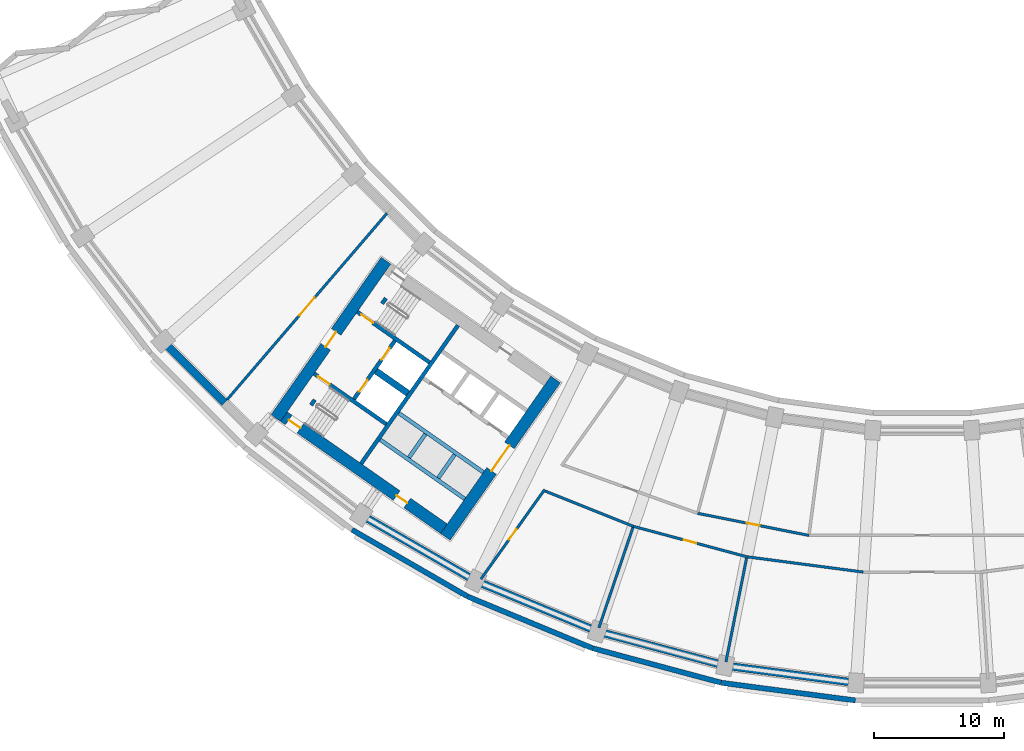
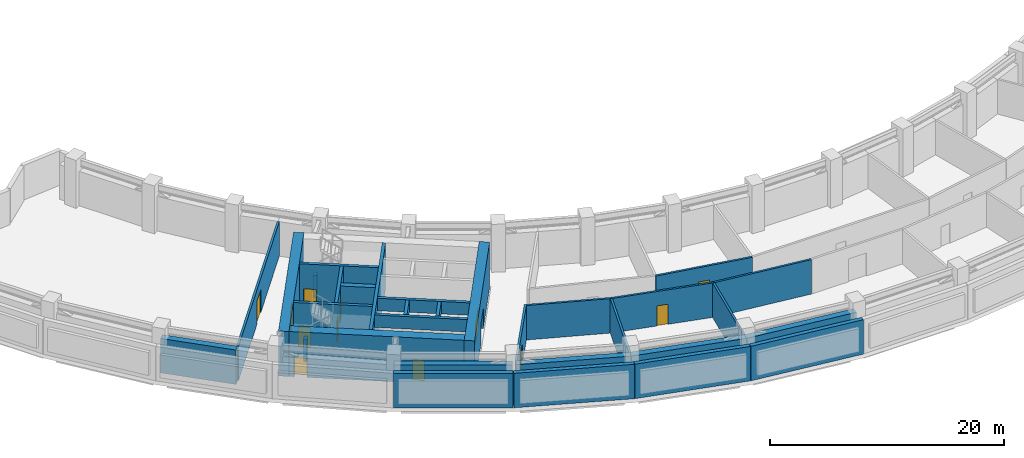
# One storey, part 6 of 25: 31 walls, 12 doors, 12 openings.
"""IFC4 building model written with IfcOpenShell, lengths in metres."""

from ifc_helpers import new_model, si_unit, direction, frame, frame_2d, origin, place, context, subcontext, project, spatial, rectangle, extrude, material, layer, layer_set, type_object, element, fill, save


model = new_model("IFC4")

# Units and contexts
model_context = context("Model", 3, precision=1e-05, world=origin(), true_north=direction((0.0, 1.0)))
body_context = subcontext(model_context, "Body", "Model", "MODEL_VIEW")
ifc_project = project(units=[si_unit("LENGTHUNIT", "METRE"), si_unit("AREAUNIT", "SQUARE_METRE"), si_unit("VOLUMEUNIT", "CUBIC_METRE"), si_unit("PLANEANGLEUNIT", "RADIAN"), si_unit("MASSUNIT", "GRAM", prefix="KILO")], contexts=[model_context])

# Site, building, storey
site_placement = place(None, origin())
site = spatial("IfcSite", under=ifc_project, at=site_placement, CompositionType="ELEMENT")
building_placement = place(site_placement, origin())
building = spatial("IfcBuilding", under=site, at=building_placement, Name="Qamariyya Broadcast Tower", CompositionType="ELEMENT")
storey_placement = place(building_placement, frame((0.0, 0.0, 144.300048828125)))
storey = spatial("IfcBuildingStorey", under=building, at=storey_placement, Name="L33", CompositionType="ELEMENT", Elevation=144.300048828125)

# Wall, opening, door
ifc_material_1 = material(Name="Concrete C70/85", Category="concrete")
ifc_layer_1 = layer(ifc_material_1, 0.89990234375)
ifc_layer_set_1 = layer_set([ifc_layer_1], Name="Core wall 900 mm Concrete C70/85")
wall_type_1 = type_object("IfcWallType", Name="Core wall 900 mm Concrete C70/85", PredefinedType="SHEAR", material=ifc_layer_set_1)
wall_1_placement = place(storey_placement, frame((-36.716796875, -66.3369140625, 0.0), z_axis=(0.0, 0.0, 1.0), x_axis=(0.573577477574, 0.819151315216, 0.0)))
wall_1 = element("IfcWall", 1, at=wall_1_placement, inside=storey, type_object=wall_type_1, Name="k-W-L33-WA", PredefinedType="SHEAR", context=body_context, shape_type="SweptSolid", body=[
    extrude(rectangle(XDim=14.800048828125, YDim=0.89990234375, at=frame_2d((7.39990234375, 0.0))), origin(), (0.0, 0.0, 1.0), 4.699951171875),
])
opening_1_placement = place(wall_1_placement, frame((6.199951171875, 0.0, 0.0)))
opening_1 = element("IfcOpeningElement", 2, at=opening_1_placement, cuts=wall_1, Name="Opening KD3-W1", PredefinedType="OPENING", context=body_context, shape_type="SweptSolid", body=[
    extrude(rectangle(XDim=2.39990234375, YDim=2.10009765625, at=frame_2d((1.199951171875, 1.050048828125))), frame((0.0, 0.4599609375, 0.0), z_axis=(0.0, -1.0, 0.0), x_axis=(1.0, 0.0, 0.0)), (0.0, 0.0, 1.0), 0.919921875),
])
ifc_material_2 = material(Name="Steel fire-resisting door leaf", Category="steel")
door_type_1 = type_object("IfcDoorType", Name="Lift lobby door KD3", OperationType="DOUBLE_DOOR_SINGLE_SWING", PredefinedType="DOOR", material=ifc_material_2)
door_1_placement = place(opening_1_placement, origin())
door_1 = element("IfcDoor", 3, at=door_1_placement, inside=storey, type_object=door_type_1, Name="k-W-L33-WA-D1", OperationType="DOUBLE_DOOR_SINGLE_SWING", OverallHeight=2.10009765625, OverallWidth=2.39990234375, PredefinedType="DOOR", context=body_context, shape_type="SweptSolid", body=[
    extrude(rectangle(XDim=2.39990234375, YDim=2.10009765625, at=frame_2d((1.199951171875, 1.050048828125))), frame((0.0, 0.02490234375, 0.0), z_axis=(0.0, -1.0, 0.0), x_axis=(1.0, 0.0, 0.0)), (0.0, 0.0, 1.0), 0.050048828125),
])
fill(opening_1, door_1)

wall_2_placement = place(storey_placement, frame((-49.778564453125, -57.191162109375, 0.0), z_axis=(0.0, 0.0, 1.0), x_axis=(0.573577477574, 0.819151315216, 0.0)))
wall_2 = element("IfcWall", 4, at=wall_2_placement, inside=storey, type_object=wall_type_1, Name="k-W-L33-WH", PredefinedType="SHEAR", context=body_context, shape_type="SweptSolid", body=[
    extrude(rectangle(XDim=14.800048828125, YDim=0.89990234375, at=frame_2d((7.39990234375, 0.0))), origin(), (0.0, 0.0, 1.0), 4.699951171875),
])
opening_2_placement = place(wall_2_placement, frame((6.699951171875, 0.0, 0.0)))
opening_2 = element("IfcOpeningElement", 5, at=opening_2_placement, cuts=wall_2, Name="Opening KD2-W1", PredefinedType="OPENING", context=body_context, shape_type="SweptSolid", body=[
    extrude(rectangle(XDim=1.39990234375, YDim=2.10009765625, at=frame_2d((0.699951171875, 1.050048828125))), frame((0.0, 0.4599609375, 0.0), z_axis=(0.0, -1.0, 0.0), x_axis=(1.0, 0.0, 0.0)), (0.0, 0.0, 1.0), 0.919921875),
])
door_type_2 = type_object("IfcDoorType", Name="Fire-fighting lobby door KD2", OperationType="DOUBLE_DOOR_SINGLE_SWING", PredefinedType="DOOR", material=ifc_material_2)
door_2_placement = place(opening_2_placement, origin())
door_2 = element("IfcDoor", 6, at=door_2_placement, inside=storey, type_object=door_type_2, Name="k-W-L33-WH-D9", OperationType="DOUBLE_DOOR_SINGLE_SWING", OverallHeight=2.10009765625, OverallWidth=1.39990234375, PredefinedType="DOOR", context=body_context, shape_type="SweptSolid", body=[
    extrude(rectangle(XDim=1.39990234375, YDim=2.10009765625, at=frame_2d((0.699951171875, 1.050048828125))), frame((0.0, 0.02490234375, 0.0), z_axis=(0.0, -1.0, 0.0), x_axis=(1.0, 0.0, 0.0)), (0.0, 0.0, 1.0), 0.050048828125),
])
fill(opening_2, door_2)

# Wall, openings, doors
wall_3_placement = place(storey_placement, frame((-36.827392578125, -65.710205078125, 0.0), z_axis=(0.0, 0.0, 1.0), x_axis=(-0.819153391756, 0.573574511963, 0.0)))
wall_3 = element("IfcWall", 7, at=wall_3_placement, inside=storey, type_object=wall_type_1, Name="k-W-L33-WO", PredefinedType="SHEAR", context=body_context, shape_type="SweptSolid", body=[
    extrude(rectangle(XDim=15.04541015625, YDim=0.89990234375, at=frame_2d((7.522705078125, 0.0))), origin(), (0.0, 0.0, 1.0), 4.699951171875),
])
opening_3_placement = place(wall_3_placement, frame((3.449951171875, 0.0, 0.0)))
opening_3 = element("IfcOpeningElement", 8, at=opening_3_placement, cuts=wall_3, Name="Opening KD4-W2", PredefinedType="OPENING", context=body_context, shape_type="SweptSolid", body=[
    extrude(rectangle(XDim=1.0, YDim=2.10009765625, at=frame_2d((0.5, 1.050048828125))), frame((0.0, 0.4599609375, 0.0), z_axis=(0.0, -1.0, 0.0), x_axis=(1.0, 0.0, 0.0)), (0.0, 0.0, 1.0), 0.919921875),
])
opening_4_placement = place(wall_3_placement, frame((13.495361328125, 0.0, 0.0)))
opening_4 = element("IfcOpeningElement", 9, at=opening_4_placement, cuts=wall_3, Name="Opening KD1-W3", PredefinedType="OPENING", context=body_context, shape_type="SweptSolid", body=[
    extrude(rectangle(XDim=1.10009765625, YDim=2.10009765625, at=frame_2d((0.550048828125, 1.050048828125))), frame((0.0, 0.4599609375, 0.0), z_axis=(0.0, -1.0, 0.0), x_axis=(1.0, 0.0, 0.0)), (0.0, 0.0, 1.0), 0.919921875),
])
door_type_3 = type_object("IfcDoorType", Name="Riser and plant door KD4", OperationType="SINGLE_SWING_LEFT", PredefinedType="DOOR", material=ifc_material_2)
door_3_placement = place(opening_3_placement, origin())
door_3 = element("IfcDoor", 10, at=door_3_placement, inside=storey, type_object=door_type_3, Name="k-W-L33-WO-D6", OperationType="SINGLE_SWING_LEFT", OverallHeight=2.10009765625, OverallWidth=1.0, PredefinedType="DOOR", context=body_context, shape_type="SweptSolid", body=[
    extrude(rectangle(XDim=1.0, YDim=2.10009765625, at=frame_2d((0.5, 1.050048828125))), frame((0.0, 0.02490234375, 0.0), z_axis=(0.0, -1.0, 0.0), x_axis=(1.0, 0.0, 0.0)), (0.0, 0.0, 1.0), 0.050048828125),
])
fill(opening_3, door_3)
door_type_4 = type_object("IfcDoorType", Name="Stair door KD1", OperationType="SINGLE_SWING_LEFT", PredefinedType="DOOR", material=ifc_material_2)
door_4_placement = place(opening_4_placement, origin())
door_4 = element("IfcDoor", 11, at=door_4_placement, inside=storey, type_object=door_type_4, Name="k-W-L33-WO-D12", OperationType="SINGLE_SWING_LEFT", OverallHeight=2.10009765625, OverallWidth=1.10009765625, PredefinedType="DOOR", context=body_context, shape_type="SweptSolid", body=[
    extrude(rectangle(XDim=1.10009765625, YDim=2.10009765625, at=frame_2d((0.550048828125, 1.050048828125))), frame((0.0, 0.02490234375, 0.0), z_axis=(0.0, -1.0, 0.0), x_axis=(1.0, 0.0, 0.0)), (0.0, 0.0, 1.0), 0.050048828125),
])
fill(opening_4, door_4)

# Walls
ifc_material_3 = material(Name="Concrete C60/75", Category="concrete")
ifc_layer_2 = layer(ifc_material_3, 0.5)
ifc_layer_set_2 = layer_set([ifc_layer_2], Name="Fire-fighting lobby divider wall 500 mm Concrete C60/75")
wall_type_2 = type_object("IfcWallType", Name="Fire-fighting lobby divider wall 500 mm Concrete C60/75", PredefinedType="SOLIDWALL", material=ifc_layer_set_2)
wall_4_placement = place(storey_placement, frame((-39.59912109375, -55.28515625, 0.0), z_axis=(0.0, 0.0, 1.0), x_axis=(-0.819136323161, 0.573598887793, 0.0)))
element("IfcWall", 12, at=wall_4_placement, inside=storey, type_object=wall_type_2, Name="k-W-L33-FD", PredefinedType="SOLIDWALL", context=body_context, shape_type="SweptSolid", body=[
    extrude(rectangle(XDim=2.999755859375, YDim=0.5, at=frame_2d((1.5, 0.0))), origin(), (0.0, 0.0, 1.0), 4.699951171875),
])
ifc_layer_3 = layer(ifc_material_3, 0.300048828125)
ifc_layer_set_3 = layer_set([ifc_layer_3], Name="Lift pit wall 300 mm Concrete C60/75")
wall_type_3 = type_object("IfcWallType", Name="Lift pit wall 300 mm Concrete C60/75", PredefinedType="SOLIDWALL", material=ifc_layer_set_3)
for number, where, z_axis, x_axis, name in (
    (13, (-33.787353515625, -61.368896484375, 3.39990234375), (0.0, 0.0, 1.0), (-0.819152564888, 0.573575692858, 0.0), "k-W-L33-SF0"),
    (14, (-35.22119140625, -63.41650390625, 3.39990234375), (0.0, 0.0, 1.0), (-0.819166993208, 0.573555086491, 0.0), "k-W-L33-SB0"),
):
    element("IfcWall", number, at=place(storey_placement, frame(where, z_axis=z_axis, x_axis=x_axis)), inside=storey, type_object=wall_type_3, Name=name, PredefinedType="SOLIDWALL", context=body_context, shape_type="SweptSolid", body=[
        extrude(rectangle(XDim=7.9501953125, YDim=0.300048828125, at=frame_2d((3.97509765625, 0.0))), origin(), (0.0, 0.0, 1.0), 1.300048828125),
    ])
wall_5_placement = place(storey_placement, frame((-36.003173828125, -60.000244140625, 3.39990234375), z_axis=(0.0, 0.0, 1.0), x_axis=(-0.573581496053, -0.819148501424, 0.0)))
element("IfcWall", 15, at=wall_5_placement, inside=storey, type_object=wall_type_3, Name="k-W-L33-SD0", PredefinedType="SOLIDWALL", context=body_context, shape_type="SweptSolid", body=[
    extrude(rectangle(XDim=2.2001953125, YDim=0.300048828125, at=frame_2d((1.10009765625, 0.0))), origin(), (0.0, 0.0, 1.0), 1.300048828125),
])
wall_6_placement = place(storey_placement, frame((-38.255859375, -58.423095703125, 3.39990234375), z_axis=(0.0, 0.0, 1.0), x_axis=(-0.573633636671, -0.819111989218, 0.0)))
element("IfcWall", 16, at=wall_6_placement, inside=storey, type_object=wall_type_3, Name="k-W-L33-SD1", PredefinedType="SOLIDWALL", context=body_context, shape_type="SweptSolid", body=[
    extrude(rectangle(XDim=2.199951171875, YDim=0.300048828125, at=frame_2d((1.10009765625, 0.0))), origin(), (0.0, 0.0, 1.0), 1.300048828125),
])
ifc_layer_4 = layer(ifc_material_3, 0.300048828125)
ifc_layer_set_4 = layer_set([ifc_layer_4], Name="Lift shaft wall 300 mm Concrete C60/75")
wall_type_4 = type_object("IfcWallType", Name="Lift shaft wall 300 mm Concrete C60/75", PredefinedType="SOLIDWALL", material=ifc_layer_set_4)
wall_7_placement = place(storey_placement, frame((-43.204345703125, -60.69580078125, 0.0), z_axis=(0.0, 0.0, 1.0), x_axis=(0.573571992966, 0.819155155563, 0.0)))
element("IfcWall", 17, at=wall_7_placement, inside=storey, type_object=wall_type_4, Name="k-W-L33-WL", PredefinedType="SOLIDWALL", context=body_context, shape_type="SweptSolid", body=[
    extrude(rectangle(XDim=13.000244140625, YDim=0.300048828125, at=frame_2d((6.5, 0.0))), origin(), (0.0, 0.0, 1.0), 4.699951171875),
])

# Wall, opening, door
wall_8_placement = place(storey_placement, frame((-37.935546875, -52.90966796875, 0.0), z_axis=(0.0, 0.0, 1.0), x_axis=(-0.819147518138, 0.57358290031, 0.0)))
wall_8 = element("IfcWall", 18, at=wall_8_placement, inside=storey, type_object=wall_type_4, Name="k-W-L33-NW", PredefinedType="SOLIDWALL", context=body_context, shape_type="SweptSolid", body=[
    extrude(rectangle(XDim=6.79541015625, YDim=0.300048828125, at=frame_2d((3.397705078125, 0.0))), origin(), (0.0, 0.0, 1.0), 4.699951171875),
])
opening_5_placement = place(wall_8_placement, frame((5.3203125, 0.0, 0.0)))
opening_5 = element("IfcOpeningElement", 19, at=opening_5_placement, cuts=wall_8, Name="Opening KD1-W2", PredefinedType="OPENING", context=body_context, shape_type="SweptSolid", body=[
    extrude(rectangle(XDim=1.10009765625, YDim=2.10009765625, at=frame_2d((0.550048828125, 1.050048828125))), frame((0.0, 0.159912109375, 0.0), z_axis=(0.0, -1.0, 0.0), x_axis=(1.0, 0.0, 0.0)), (0.0, 0.0, 1.0), 0.320068359375),
])
door_5_placement = place(opening_5_placement, origin())
door_5 = element("IfcDoor", 20, at=door_5_placement, inside=storey, type_object=door_type_4, Name="k-W-L33-NW-D11", OperationType="SINGLE_SWING_RIGHT", OverallHeight=2.10009765625, OverallWidth=1.10009765625, PredefinedType="DOOR", context=body_context, shape_type="SweptSolid", body=[
    extrude(rectangle(XDim=1.10009765625, YDim=2.10009765625, at=frame_2d((0.550048828125, 1.050048828125))), frame((0.0, 0.02490234375, 0.0), z_axis=(0.0, -1.0, 0.0), x_axis=(1.0, 0.0, 0.0)), (0.0, 0.0, 1.0), 0.050048828125),
])
fill(opening_5, door_5)

wall_9_placement = place(storey_placement, frame((-41.262451171875, -57.66064453125, 0.0), z_axis=(0.0, 0.0, 1.0), x_axis=(-0.819164398642, 0.573558792102, 0.0)))
wall_9 = element("IfcWall", 21, at=wall_9_placement, inside=storey, type_object=wall_type_4, Name="k-W-L33-SW", PredefinedType="SOLIDWALL", context=body_context, shape_type="SweptSolid", body=[
    extrude(rectangle(XDim=6.795166015625, YDim=0.300048828125, at=frame_2d((3.3974609375, 0.0))), origin(), (0.0, 0.0, 1.0), 4.699951171875),
])
opening_6_placement = place(wall_9_placement, frame((5.3203125, 0.0, 0.0)))
opening_6 = element("IfcOpeningElement", 22, at=opening_6_placement, cuts=wall_9, Name="Opening KD1-W4", PredefinedType="OPENING", context=body_context, shape_type="SweptSolid", body=[
    extrude(rectangle(XDim=1.10009765625, YDim=2.10009765625, at=frame_2d((0.550048828125, 1.050048828125))), frame((0.0, 0.159912109375, 0.0), z_axis=(0.0, -1.0, 0.0), x_axis=(1.0, 0.0, 0.0)), (0.0, 0.0, 1.0), 0.320068359375),
])
door_6_placement = place(opening_6_placement, origin())
door_6 = element("IfcDoor", 23, at=door_6_placement, inside=storey, type_object=door_type_4, Name="k-W-L33-SW-D13", OperationType="SINGLE_SWING_RIGHT", OverallHeight=2.10009765625, OverallWidth=1.10009765625, PredefinedType="DOOR", context=body_context, shape_type="SweptSolid", body=[
    extrude(rectangle(XDim=1.10009765625, YDim=2.10009765625, at=frame_2d((0.550048828125, 1.050048828125))), frame((0.0, 0.02490234375, 0.0), z_axis=(0.0, -1.0, 0.0), x_axis=(1.0, 0.0, 0.0)), (0.0, 0.0, 1.0), 0.050048828125),
])
fill(opening_6, door_6)

# Wall, openings, doors
wall_10_placement = place(storey_placement, frame((-43.756591796875, -55.731201171875, 0.0), z_axis=(0.0, 0.0, 1.0), x_axis=(0.573536818435, 0.819179783625, 0.0)))
wall_10 = element("IfcWall", 24, at=wall_10_placement, inside=storey, type_object=wall_type_4, Name="k-W-L33-FF", PredefinedType="SOLIDWALL", context=body_context, shape_type="SweptSolid", body=[
    extrude(rectangle(XDim=5.500244140625, YDim=0.300048828125, at=frame_2d((2.75, 0.0))), origin(), (0.0, 0.0, 1.0), 4.699951171875),
])
opening_7_placement = place(wall_10_placement, frame((0.699951171875, 0.0, 0.0)))
opening_7 = element("IfcOpeningElement", 25, at=opening_7_placement, cuts=wall_10, Name="Opening LD", PredefinedType="OPENING", context=body_context, shape_type="SweptSolid", body=[
    extrude(rectangle(XDim=1.10009765625, YDim=2.10009765625, at=frame_2d((0.550048828125, 1.050048828125))), frame((0.0, 0.159912109375, 0.0), z_axis=(0.0, -1.0, 0.0), x_axis=(1.0, 0.0, 0.0)), (0.0, 0.0, 1.0), 0.320068359375),
])
opening_8_placement = place(wall_10_placement, frame((3.699951171875, 0.0, 0.0)))
opening_8 = element("IfcOpeningElement", 26, at=opening_8_placement, cuts=wall_10, Name="Opening LD", PredefinedType="OPENING", context=body_context, shape_type="SweptSolid", body=[
    extrude(rectangle(XDim=1.10009765625, YDim=2.10009765625, at=frame_2d((0.550048828125, 1.050048828125))), frame((0.0, 0.159912109375, 0.0), z_axis=(0.0, -1.0, 0.0), x_axis=(1.0, 0.0, 0.0)), (0.0, 0.0, 1.0), 0.320068359375),
])
door_type_5 = type_object("IfcDoorType", Name="Lift landing door LD", OperationType="DOUBLE_DOOR_SLIDING", PredefinedType="DOOR", material=ifc_material_2)
door_7_placement = place(opening_7_placement, origin())
door_7 = element("IfcDoor", 27, at=door_7_placement, inside=storey, type_object=door_type_5, Name="k-W-L33-FF-D7", OperationType="DOUBLE_DOOR_SLIDING", OverallHeight=2.10009765625, OverallWidth=1.10009765625, PredefinedType="DOOR", context=body_context, shape_type="SweptSolid", body=[
    extrude(rectangle(XDim=1.10009765625, YDim=2.10009765625, at=frame_2d((0.550048828125, 1.050048828125))), frame((0.0, 0.02490234375, 0.0), z_axis=(0.0, -1.0, 0.0), x_axis=(1.0, 0.0, 0.0)), (0.0, 0.0, 1.0), 0.050048828125),
])
fill(opening_7, door_7)
door_8_placement = place(opening_8_placement, origin())
door_8 = element("IfcDoor", 28, at=door_8_placement, inside=storey, type_object=door_type_5, Name="k-W-L33-FF-D8", OperationType="DOUBLE_DOOR_SLIDING", OverallHeight=2.10009765625, OverallWidth=1.10009765625, PredefinedType="DOOR", context=body_context, shape_type="SweptSolid", body=[
    extrude(rectangle(XDim=1.10009765625, YDim=2.10009765625, at=frame_2d((0.550048828125, 1.050048828125))), frame((0.0, 0.02490234375, 0.0), z_axis=(0.0, -1.0, 0.0), x_axis=(1.0, 0.0, 0.0)), (0.0, 0.0, 1.0), 0.050048828125),
])
fill(opening_8, door_8)

# Walls
wall_11_placement = place(storey_placement, frame((-41.5869140625, -48.369140625, 0.0), z_axis=(0.0, 0.0, 1.0), x_axis=(0.573495128918, 0.819208970354, 0.0)))
element("IfcWall", 29, at=wall_11_placement, inside=storey, type_object=wall_type_4, Name="k-W-L33-W2PR", PredefinedType="SOLIDWALL", context=body_context, shape_type="SweptSolid", body=[
    extrude(rectangle(XDim=0.499755859375, YDim=0.300048828125, at=frame_2d((0.25, 0.0))), origin(), (0.0, 0.0, 1.0), 2.300048828125),
])
wall_12_placement = place(storey_placement, frame((-47.064697265625, -56.19189453125, 0.0), z_axis=(0.0, 0.0, 1.0), x_axis=(0.573822822947, 0.818979467304, 0.0)))
element("IfcWall", 30, at=wall_12_placement, inside=storey, type_object=wall_type_4, Name="k-W-L33-W1PR", PredefinedType="SOLIDWALL", context=body_context, shape_type="SweptSolid", body=[
    extrude(rectangle(XDim=0.5, YDim=0.300048828125, at=frame_2d((0.25, 0.0))), origin(), (0.0, 0.0, 1.0), 2.300048828125),
])

# Wall, opening, door
ifc_material_4 = material(Name="Masonry block wall", Category="masonry")
ifc_layer_5 = layer(ifc_material_4, 0.199951171875)
ifc_layer_set_5 = layer_set([ifc_layer_5], Name="Plant room wall 200 EI 120")
wall_type_5 = type_object("IfcWallType", Name="Plant room wall 200 EI 120", PredefinedType="PARTITIONING", material=ifc_layer_set_5)
wall_13_placement = place(storey_placement, frame((-53.52587890625, -55.770751953125, 0.0), z_axis=(0.0, 0.0, 1.0), x_axis=(0.650990118882, 0.75908620401, 0.0)))
wall_13 = element("IfcWall", 31, at=wall_13_placement, inside=storey, type_object=wall_type_5, Name="Partition L33-012", PredefinedType="PARTITIONING", context=body_context, shape_type="SweptSolid", body=[
    extrude(rectangle(XDim=18.915283203125, YDim=0.199951171875, at=frame_2d((9.45751953125, 0.0))), origin(), (0.0, 0.0, 1.0), 3.599853515625),
])
opening_9_placement = place(wall_13_placement, frame((8.5576171875, 0.0, 0.0)))
opening_9 = element("IfcOpeningElement", 32, at=opening_9_placement, cuts=wall_13, Name="Opening L33-D12", PredefinedType="OPENING", context=body_context, shape_type="SweptSolid", body=[
    extrude(rectangle(XDim=1.800048828125, YDim=2.39990234375, at=frame_2d((0.89990234375, 1.199951171875))), frame((0.0, 0.10986328125, 0.0), z_axis=(0.0, -1.0, 0.0), x_axis=(1.0, 0.0, 0.0)), (0.0, 0.0, 1.0), 0.219970703125),
])
ifc_material_5 = material(Name="Insulated metal door leaf")
door_type_6 = type_object("IfcDoorType", Name="Plant double door 1800 x 2400 FD120", OperationType="NOTDEFINED", PredefinedType="DOOR", material=ifc_material_5)
door_9_placement = place(opening_9_placement, origin())
door_9 = element("IfcDoor", 33, at=door_9_placement, inside=storey, type_object=door_type_6, Name="Door L33-D12", OperationType="DOUBLE_DOOR_SINGLE_SWING", OverallHeight=2.39990234375, OverallWidth=1.800048828125, PredefinedType="DOOR", context=body_context, shape_type="SweptSolid", body=[
    extrude(rectangle(XDim=1.800048828125, YDim=2.39990234375, at=frame_2d((0.89990234375, 1.199951171875))), frame((0.0, 0.02490234375, 0.0), z_axis=(0.0, -1.0, 0.0), x_axis=(1.0, 0.0, 0.0)), (0.0, 0.0, 1.0), 0.050048828125),
])
fill(opening_9, door_9)

wall_14_placement = place(storey_placement, frame((-29.069580078125, -62.689697265625, 0.0), z_axis=(0.0, 0.0, 1.0), x_axis=(-0.580017920191, -0.814603714856, 0.0)))
wall_14 = element("IfcWall", 34, at=wall_14_placement, inside=storey, type_object=wall_type_5, Name="Partition L33-017", PredefinedType="PARTITIONING", context=body_context, shape_type="SweptSolid", body=[
    extrude(rectangle(XDim=8.46435546875, YDim=0.199951171875, at=frame_2d((4.232177734375, 0.0))), origin(), (0.0, 0.0, 1.0), 3.599853515625),
])
opening_10_placement = place(wall_14_placement, frame((3.732177734375, 0.0, 0.0)))
opening_10 = element("IfcOpeningElement", 35, at=opening_10_placement, cuts=wall_14, Name="Opening L33-D01", PredefinedType="OPENING", context=body_context, shape_type="SweptSolid", body=[
    extrude(rectangle(XDim=1.0, YDim=2.10009765625, at=frame_2d((0.5, 1.050048828125))), frame((0.0, 0.10986328125, 0.0), z_axis=(0.0, -1.0, 0.0), x_axis=(1.0, 0.0, 0.0)), (0.0, 0.0, 1.0), 0.219970703125),
])
door_type_7 = type_object("IfcDoorType", Name="Plant door 1000 x 2100 FD120", OperationType="NOTDEFINED", PredefinedType="DOOR", material=ifc_material_5)
door_10_placement = place(opening_10_placement, origin())
door_10 = element("IfcDoor", 36, at=door_10_placement, inside=storey, type_object=door_type_7, Name="Door L33-D01", OperationType="SINGLE_SWING_RIGHT", OverallHeight=2.10009765625, OverallWidth=1.0, PredefinedType="DOOR", context=body_context, shape_type="SweptSolid", body=[
    extrude(rectangle(XDim=1.0, YDim=2.10009765625, at=frame_2d((0.5, 1.050048828125))), frame((0.0, 0.02490234375, 0.0), z_axis=(0.0, -1.0, 0.0), x_axis=(1.0, 0.0, 0.0)), (0.0, 0.0, 1.0), 0.050048828125),
])
fill(opening_10, door_10)

# Walls
wall_15_placement = place(storey_placement, frame((-29.03466796875, -62.808349609375, 0.0), z_axis=(0.0, 0.0, 1.0), x_axis=(0.928343133184, -0.371724396657, 0.0)))
element("IfcWall", 37, at=wall_15_placement, inside=storey, type_object=wall_type_5, Name="Partition L33-018", PredefinedType="PARTITIONING", context=body_context, shape_type="SweptSolid", body=[
    extrude(rectangle(XDim=7.315185546875, YDim=0.199951171875, at=frame_2d((3.65771484375, 0.0))), origin(), (0.0, 0.0, 1.0), 3.599853515625),
])
wall_16_placement = place(storey_placement, frame((-24.8955078125, -73.33984375, 0.0), z_axis=(0.0, 0.0, 1.0), x_axis=(0.321453202328, 0.946925466292, 0.0)))
element("IfcWall", 38, at=wall_16_placement, inside=storey, type_object=wall_type_5, Name="Partition L33-021", PredefinedType="PARTITIONING", context=body_context, shape_type="SweptSolid", body=[
    extrude(rectangle(XDim=8.150146484375, YDim=0.199951171875, at=frame_2d((4.0751953125, 0.0))), origin(), (0.0, 0.0, 1.0), 3.599853515625),
])

# Wall, opening, door
wall_17_placement = place(storey_placement, frame((-13.500244140625, -67.870361328125, 0.0), z_axis=(0.0, 0.0, 1.0), x_axis=(-0.965926260719, 0.258817423781, 0.0)))
wall_17 = element("IfcWall", 39, at=wall_17_placement, inside=storey, type_object=wall_type_5, Name="Partition L33-025", PredefinedType="PARTITIONING", context=body_context, shape_type="SweptSolid", body=[
    extrude(rectangle(XDim=9.0517578125, YDim=0.199951171875, at=frame_2d((4.52587890625, 0.0))), origin(), (0.0, 0.0, 1.0), 3.599853515625),
])
opening_11_placement = place(wall_17_placement, frame((4.02587890625, 0.0, 0.0)))
opening_11 = element("IfcOpeningElement", 40, at=opening_11_placement, cuts=wall_17, Name="Opening L33-D02", PredefinedType="OPENING", context=body_context, shape_type="SweptSolid", body=[
    extrude(rectangle(XDim=1.0, YDim=2.10009765625, at=frame_2d((0.5, 1.050048828125))), frame((0.0, 0.10986328125, 0.0), z_axis=(0.0, -1.0, 0.0), x_axis=(1.0, 0.0, 0.0)), (0.0, 0.0, 1.0), 0.219970703125),
])
door_11_placement = place(opening_11_placement, origin())
door_11 = element("IfcDoor", 41, at=door_11_placement, inside=storey, type_object=door_type_7, Name="Door L33-D02", OperationType="SINGLE_SWING_RIGHT", OverallHeight=2.10009765625, OverallWidth=1.0, PredefinedType="DOOR", context=body_context, shape_type="SweptSolid", body=[
    extrude(rectangle(XDim=1.0, YDim=2.10009765625, at=frame_2d((0.5, 1.050048828125))), frame((0.0, 0.02490234375, 0.0), z_axis=(0.0, -1.0, 0.0), x_axis=(1.0, 0.0, 0.0)), (0.0, 0.0, 1.0), 0.050048828125),
])
fill(opening_11, door_11)

wall_18_placement = place(storey_placement, frame((-17.2890625, -64.52392578125, 0.0), z_axis=(0.0, 0.0, 1.0), x_axis=(0.980786466832, -0.195084357342, 0.0)))
wall_18 = element("IfcWall", 42, at=wall_18_placement, inside=storey, type_object=wall_type_5, Name="Partition L33-027", PredefinedType="PARTITIONING", context=body_context, shape_type="SweptSolid", body=[
    extrude(rectangle(XDim=8.73779296875, YDim=0.199951171875, at=frame_2d((4.368896484375, 0.0))), origin(), (0.0, 0.0, 1.0), 3.599853515625),
])
opening_12_placement = place(wall_18_placement, frame((3.868896484375, 0.0, 0.0)))
opening_12 = element("IfcOpeningElement", 43, at=opening_12_placement, cuts=wall_18, Name="Opening L33-D08", PredefinedType="OPENING", context=body_context, shape_type="SweptSolid", body=[
    extrude(rectangle(XDim=1.0, YDim=2.10009765625, at=frame_2d((0.5, 1.050048828125))), frame((0.0, 0.10986328125, 0.0), z_axis=(0.0, -1.0, 0.0), x_axis=(1.0, 0.0, 0.0)), (0.0, 0.0, 1.0), 0.219970703125),
])
door_12_placement = place(opening_12_placement, origin())
door_12 = element("IfcDoor", 44, at=door_12_placement, inside=storey, type_object=door_type_7, Name="Door L33-D08", OperationType="SINGLE_SWING_RIGHT", OverallHeight=2.10009765625, OverallWidth=1.0, PredefinedType="DOOR", context=body_context, shape_type="SweptSolid", body=[
    extrude(rectangle(XDim=1.0, YDim=2.10009765625, at=frame_2d((0.5, 1.050048828125))), frame((0.0, 0.02490234375, 0.0), z_axis=(0.0, -1.0, 0.0), x_axis=(1.0, 0.0, 0.0)), (0.0, 0.0, 1.0), 0.050048828125),
])
fill(opening_12, door_12)

# Walls
wall_19_placement = place(storey_placement, frame((-15.10986328125, -75.9619140625, 0.0), z_axis=(0.0, 0.0, 1.0), x_axis=(0.195102141606, 0.980782929267, 0.0)))
element("IfcWall", 45, at=wall_19_placement, inside=storey, type_object=wall_type_5, Name="Partition L33-028", PredefinedType="PARTITIONING", context=body_context, shape_type="SweptSolid", body=[
    extrude(rectangle(XDim=8.150146484375, YDim=0.199951171875, at=frame_2d((4.0751953125, 0.0))), origin(), (0.0, 0.0, 1.0), 3.599853515625),
])
wall_20_placement = place(storey_placement, frame((-13.500244140625, -67.870361328125, 0.0), z_axis=(0.0, 0.0, 1.0), x_axis=(0.991445838679, -0.130518768632, 0.0)))
element("IfcWall", 46, at=wall_20_placement, inside=storey, type_object=wall_type_5, Name="Partition L33-032", PredefinedType="PARTITIONING", context=body_context, shape_type="SweptSolid", body=[
    extrude(rectangle(XDim=9.042236328125, YDim=0.199951171875, at=frame_2d((4.52099609375, 0.0))), origin(), (0.0, 0.0, 1.0), 3.599853515625),
])
ifc_material_6 = material(Name="Terracotta", Category="masonry")
ifc_layer_6 = layer(ifc_material_6, 0.39990234375)
ifc_layer_set_6 = layer_set([ifc_layer_6], Name="Terracotta clad plant wall 400")
wall_type_6 = type_object("IfcWallType", Name="Terracotta clad plant wall 400", PredefinedType="SOLIDWALL", material=ifc_layer_set_6)
wall_21_placement = place(storey_placement, frame((-43.9013671875, -65.794189453125, 0.0), z_axis=(0.0, 0.0, 1.0), x_axis=(0.866015740148, -0.500016737536, 0.0)))
element("IfcWall", 47, at=wall_21_placement, inside=storey, type_object=wall_type_6, Name="e-wl-L33-out50", PredefinedType="SOLIDWALL", context=body_context, shape_type="SweptSolid", body=[
    extrude(rectangle(XDim=10.245361328125, YDim=0.39990234375, at=frame_2d((5.12255859375, 0.0))), origin(), (0.0, 0.0, 1.0), 3.599853515625),
])
wall_22_placement = place(storey_placement, frame((-35.008056640625, -70.9326171875, 0.0), z_axis=(0.0, 0.0, 1.0), x_axis=(0.923878024815, -0.382687072245, 0.0)))
element("IfcWall", 48, at=wall_22_placement, inside=storey, type_object=wall_type_6, Name="e-wl-L33-out60", PredefinedType="SOLIDWALL", context=body_context, shape_type="SweptSolid", body=[
    extrude(rectangle(XDim=10.39697265625, YDim=0.39990234375, at=frame_2d((5.198486328125, 0.0))), origin(), (0.0, 0.0, 1.0), 3.599853515625),
])
wall_23_placement = place(storey_placement, frame((-25.376708984375, -74.914794921875, 0.0), z_axis=(0.0, 0.0, 1.0), x_axis=(0.965921778254, -0.258834152101, 0.0)))
element("IfcWall", 49, at=wall_23_placement, inside=storey, type_object=wall_type_6, Name="e-wl-L33-out70", PredefinedType="SOLIDWALL", context=body_context, shape_type="SweptSolid", body=[
    extrude(rectangle(XDim=10.245361328125, YDim=0.39990234375, at=frame_2d((5.12255859375, 0.0))), origin(), (0.0, 0.0, 1.0), 3.599853515625),
])
wall_24_placement = place(storey_placement, frame((-15.456298828125, -77.576416015625, 0.0), z_axis=(0.0, 0.0, 1.0), x_axis=(0.991442942047, -0.130540770129, 0.0)))
element("IfcWall", 50, at=wall_24_placement, inside=storey, type_object=wall_type_6, Name="e-wl-L33-out80", PredefinedType="SOLIDWALL", context=body_context, shape_type="SweptSolid", body=[
    extrude(rectangle(XDim=10.396484375, YDim=0.39990234375, at=frame_2d((5.1982421875, 0.0))), origin(), (0.0, 0.0, 1.0), 3.599853515625),
])
ifc_layer_7 = layer(ifc_material_4, 0.60009765625)
ifc_layer_set_7 = layer_set([ifc_layer_7], Name="Truss casing wall 600 EI 120")
wall_type_7 = type_object("IfcWallType", Name="Truss casing wall 600 EI 120", PredefinedType="PARTITIONING", material=ifc_layer_set_7)
wall_25_placement = place(storey_placement, frame((-58.439453125, -51.2802734375, 0.0), z_axis=(0.0, 0.0, 1.0), x_axis=(0.707106781187, -0.707106781187, 0.0)))
element("IfcWall", 51, at=wall_25_placement, inside=storey, type_object=wall_type_7, Name="Partition L33-004", PredefinedType="PARTITIONING", context=body_context, shape_type="SweptSolid", body=[
    extrude(rectangle(XDim=6.672607421875, YDim=0.60009765625, at=frame_2d((3.33642578125, 0.0))), origin(), (0.0, 0.0, 1.0), 3.599853515625),
])
wall_26_placement = place(storey_placement, frame((-43.176025390625, -64.658203125, 0.0), z_axis=(0.0, 0.0, 1.0), x_axis=(0.866037016931, -0.4999798849, 0.0)))
element("IfcWall", 52, at=wall_26_placement, inside=storey, type_object=wall_type_7, Name="Partition L33-011", PredefinedType="PARTITIONING", context=body_context, shape_type="SweptSolid", body=[
    extrude(rectangle(XDim=10.125, YDim=0.60009765625, at=frame_2d((5.0625, 0.0))), origin(), (0.0, 0.0, 1.0), 3.599853515625),
])
wall_27_placement = place(storey_placement, frame((-34.153076171875, -69.8291015625, 0.0), z_axis=(0.0, 0.0, 1.0), x_axis=(0.923879094783, -0.382684489133, 0.0)))
element("IfcWall", 53, at=wall_27_placement, inside=storey, type_object=wall_type_7, Name="Partition L33-015", PredefinedType="PARTITIONING", context=body_context, shape_type="SweptSolid", body=[
    extrude(rectangle(XDim=9.916015625, YDim=0.60009765625, at=frame_2d((4.9580078125, 0.0))), origin(), (0.0, 0.0, 1.0), 3.599853515625),
])
wall_28_placement = place(storey_placement, frame((-24.991943359375, -73.623779296875, 0.0), z_axis=(0.0, 0.0, 1.0), x_axis=(0.965924263558, -0.258824877223, 0.0)))
element("IfcWall", 54, at=wall_28_placement, inside=storey, type_object=wall_type_7, Name="Partition L33-022", PredefinedType="PARTITIONING", context=body_context, shape_type="SweptSolid", body=[
    extrude(rectangle(XDim=10.17041015625, YDim=0.60009765625, at=frame_2d((5.085205078125, 0.0))), origin(), (0.0, 0.0, 1.0), 3.599853515625),
])
wall_29_placement = place(storey_placement, frame((-15.168212890625, -76.256103515625, 0.0), z_axis=(0.0, 0.0, 1.0), x_axis=(0.991445285184, -0.130522973018, 0.0)))
element("IfcWall", 55, at=wall_29_placement, inside=storey, type_object=wall_type_7, Name="Partition L33-029", PredefinedType="PARTITIONING", context=body_context, shape_type="SweptSolid", body=[
    extrude(rectangle(XDim=10.1474609375, YDim=0.60009765625, at=frame_2d((5.07373046875, 0.0))), origin(), (0.0, 0.0, 1.0), 3.599853515625),
])

save(model, "model.ifc")
